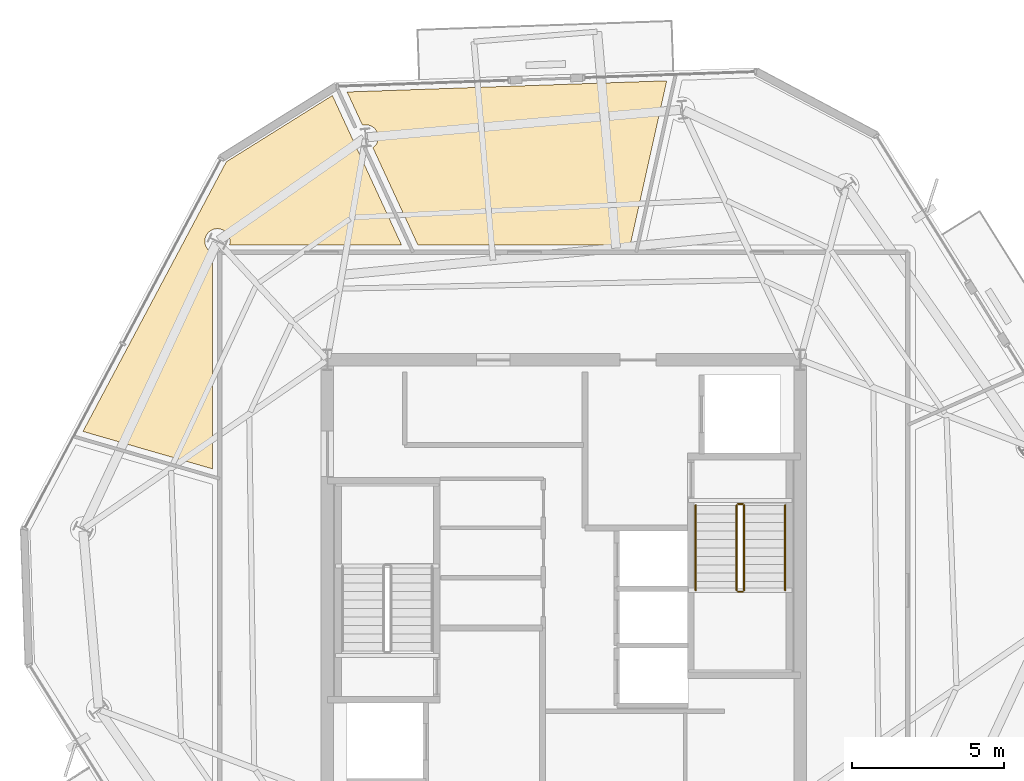
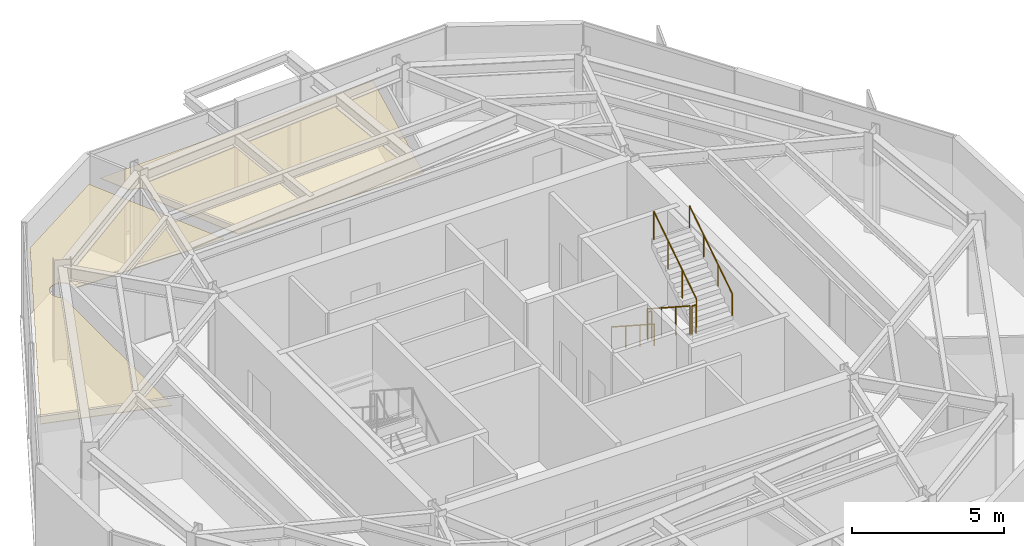
# One storey, part 10 of 11: 6 railings, 2 coverings.
"""IFC4 building model written with IfcOpenShell, lengths in metres."""

from ifc_helpers import new_model, si_unit, direction, frame, origin, origin_2d, place, context, subcontext, project, spatial, polyline, circle, outline, extrude, material, layer, layer_set, type_object, element, save


model = new_model("IFC4")

# Units and contexts
model_context = context("Model", 3, precision=1e-05, world=origin(), true_north=direction((0.0, 1.0)))
body_context = subcontext(model_context, "Body", "Model", "MODEL_VIEW")
ifc_project = project(units=[si_unit("LENGTHUNIT", "METRE"), si_unit("AREAUNIT", "SQUARE_METRE"), si_unit("VOLUMEUNIT", "CUBIC_METRE"), si_unit("PLANEANGLEUNIT", "RADIAN"), si_unit("MASSUNIT", "GRAM", prefix="KILO")], contexts=[model_context])

# Site, building, storey
site_placement = place(None, origin())
site = spatial("IfcSite", under=ifc_project, at=site_placement, CompositionType="ELEMENT")
building_placement = place(site_placement, origin())
building = spatial("IfcBuilding", under=site, at=building_placement, Name="Kranzbogen Civic Tower", CompositionType="ELEMENT")
storey_placement = place(building_placement, frame((0.0, 0.0, 274.199951171875)))
storey = spatial("IfcBuildingStorey", under=building, at=storey_placement, Name="L66", CompositionType="ELEMENT", Elevation=274.199951171875)

# Railings
ifc_material_1 = material(Name="Steel S355", Category="steel")
railing_type_1 = type_object("IfcRailingType", Name="Internal Stair and Void Steel Guardrail 1150", PredefinedType="GUARDRAIL", material=ifc_material_1)
railing_1_placement = place(storey_placement, frame((30.699951171875, 27.39990234375, 0.181884765625)))
element("IfcRailing", 1, at=railing_1_placement, inside=storey, type_object=railing_type_1, Name="L66 ST-T2 stair guard 1", PredefinedType="GUARDRAIL", context=body_context, shape_type="SweptSolid", body=[
    extrude(circle(Radius=0.02392578125, at=origin_2d()), frame((0.0, 0.0, 1.1259765625), z_axis=(0.0, -0.83868413941, 0.544618136222), x_axis=(1.0, 0.0, 0.0)), (0.0, 0.0, 1.0), 3.33837890625),
    extrude(circle(Radius=0.02099609375, at=origin_2d()), origin(), (0.0, 0.0, 1.0), 1.101806640625),
    extrude(circle(Radius=0.02099609375, at=origin_2d()), frame((0.0, -0.933349609375, 0.60595703125)), (0.0, 0.0, 1.0), 1.101806640625),
    extrude(circle(Radius=0.02099609375, at=origin_2d()), frame((0.0, -1.866455078125, 1.212158203125)), (0.0, 0.0, 1.0), 1.101806640625),
    extrude(circle(Radius=0.02099609375, at=origin_2d()), frame((0.0, -2.7998046875, 1.818115234375)), (0.0, 0.0, 1.0), 1.101806640625),
])
railing_2_placement = place(storey_placement, frame((30.75, 24.550048828125, 2.0)))
element("IfcRailing", 2, at=railing_2_placement, inside=storey, type_object=railing_type_1, Name="L66 ST-T2 stair guard 2", PredefinedType="GUARDRAIL", context=body_context, shape_type="SweptSolid", body=[
    extrude(circle(Radius=0.02392578125, at=origin_2d()), frame((0.0, 0.0, 1.1259765625), z_axis=(1.0, 0.0, 0.0), x_axis=(0.0, 1.0, 0.0)), (0.0, 0.0, 1.0), 0.14990234375),
    extrude(circle(Radius=0.02099609375, at=origin_2d()), origin(), (0.0, 0.0, 1.0), 1.101806640625),
    extrude(circle(Radius=0.02099609375, at=origin_2d()), frame((0.14990234375, 0.0, 0.0)), (0.0, 0.0, 1.0), 1.101806640625),
])
railing_3_placement = place(storey_placement, frame((30.949951171875, 24.60009765625, 2.181884765625)))
element("IfcRailing", 3, at=railing_3_placement, inside=storey, type_object=railing_type_1, Name="L66 ST-T2 stair guard 3", PredefinedType="GUARDRAIL", context=body_context, shape_type="SweptSolid", body=[
    extrude(circle(Radius=0.02392578125, at=origin_2d()), frame((0.0, 0.0, 1.1259765625), z_axis=(0.0, 0.83868413941, 0.544618136222), x_axis=(-1.0, 0.0, 0.0)), (0.0, 0.0, 1.0), 3.33837890625),
    extrude(circle(Radius=0.02099609375, at=origin_2d()), origin(), (0.0, 0.0, 1.0), 1.101806640625),
    extrude(circle(Radius=0.02099609375, at=origin_2d()), frame((0.0, 0.933349609375, 0.60595703125)), (0.0, 0.0, 1.0), 1.101806640625),
    extrude(circle(Radius=0.02099609375, at=origin_2d()), frame((0.0, 1.866455078125, 1.212158203125)), (0.0, 0.0, 1.0), 1.101806640625),
    extrude(circle(Radius=0.02099609375, at=origin_2d()), frame((0.0, 2.7998046875, 1.818115234375)), (0.0, 0.0, 1.0), 1.101806640625),
])
railing_4_placement = place(storey_placement, frame((30.75, 27.449951171875, 0.0)))
element("IfcRailing", 4, at=railing_4_placement, inside=storey, type_object=railing_type_1, Name="L66 ST-T2 stair guard 4", PredefinedType="GUARDRAIL", context=body_context, shape_type="SweptSolid", body=[
    extrude(circle(Radius=0.02392578125, at=origin_2d()), frame((0.0, 0.0, 1.1259765625), z_axis=(1.0, 0.0, 0.0), x_axis=(0.0, 1.0, 0.0)), (0.0, 0.0, 1.0), 0.14990234375),
    extrude(circle(Radius=0.02099609375, at=origin_2d()), origin(), (0.0, 0.0, 1.0), 1.101806640625),
    extrude(circle(Radius=0.02099609375, at=origin_2d()), frame((0.14990234375, 0.0, 0.0)), (0.0, 0.0, 1.0), 1.101806640625),
])

# Coverings
ifc_material_2 = material(Name="Perforated Acoustic Gypsum Ceiling")
ifc_layer = layer(ifc_material_2, 0.02490234375, Name="Perforated Acoustic Gypsum Ceiling")
ifc_layer_set = layer_set([ifc_layer], Name="Perforated Acoustic Gypsum Ceiling")
covering_type = type_object("IfcCoveringType", Name="Perforated Acoustic Mineral Ceiling Tile 25 mm", PredefinedType="CEILING", material=ifc_layer_set)
covering_1_placement = place(storey_placement, frame((0.0, 0.0, 2.75)))
element("IfcCovering", 5, at=covering_1_placement, inside=storey, type_object=covering_type, Name="L66 Hospitality Catering Kitchen acoustic ceiling", PredefinedType="CEILING", context=body_context, shape_type="SweptSolid", body=[
    extrude(outline(polyline([(18.7041015625, 39.195068359375), (18.73095703125, 39.215087890625), (18.760986328125, 39.241943359375), (18.7880859375, 39.27197265625), (18.81201171875, 39.304931640625), (18.8330078125, 39.340087890625), (18.85107421875, 39.376953125), (18.864990234375, 39.4150390625), (18.8740234375, 39.455078125), (18.8798828125, 39.4951171875), (18.882080078125, 39.535888671875), (18.8798828125, 39.576904296875), (18.8740234375, 39.616943359375), (18.864990234375, 39.656982421875), (18.85107421875, 39.695068359375), (18.8330078125, 39.73193359375), (18.81201171875, 39.76708984375), (18.7880859375, 39.800048828125), (18.760986328125, 39.830078125), (18.73095703125, 39.85693359375), (18.697998046875, 39.881103515625), (18.6630859375, 39.902099609375), (18.6259765625, 39.919921875), (18.587890625, 39.93408203125), (18.548095703125, 39.943115234375), (18.508056640625, 39.948974609375), (18.467041015625, 39.950927734375), (18.426025390625, 39.948974609375), (18.385986328125, 39.943115234375), (18.361083984375, 39.93701171875), (17.85302734375, 41.034912109375), (28.39501953125, 41.404052734375), (27.193115234375, 35.9951171875), (20.18408203125, 35.9951171875), (18.7041015625, 39.195068359375)])), origin(), (0.0, 0.0, 1.0), 0.025146484375),
])
covering_2_placement = place(storey_placement, frame((0.0, 0.0, 2.75)))
element("IfcCovering", 6, at=covering_2_placement, inside=storey, type_object=covering_type, Name="L66 Ministerial Policy Office acoustic ceiling", PredefinedType="CEILING", context=body_context, shape_type="SweptSolid", body=[
    extrude(outline(polyline([(17.366943359375, 40.91796875), (19.64404296875, 35.9951171875), (13.97412109375, 35.9951171875), (13.98193359375, 36.029052734375), (13.988037109375, 36.069091796875), (13.989990234375, 36.110107421875), (13.988037109375, 36.15087890625), (13.98193359375, 36.19091796875), (13.972900390625, 36.23095703125), (13.958984375, 36.26904296875), (13.94091796875, 36.305908203125), (13.919921875, 36.341064453125), (13.89599609375, 36.3740234375), (13.868896484375, 36.404052734375), (13.839111328125, 36.430908203125), (13.805908203125, 36.455078125), (13.77099609375, 36.47607421875), (13.73388671875, 36.493896484375), (13.696044921875, 36.508056640625), (13.656005859375, 36.51708984375), (13.615966796875, 36.52294921875), (13.574951171875, 36.52490234375), (13.533935546875, 36.52294921875), (13.493896484375, 36.51708984375), (13.4541015625, 36.508056640625), (13.416015625, 36.493896484375), (13.37890625, 36.47607421875), (13.343994140625, 36.455078125), (13.31103515625, 36.430908203125), (13.281005859375, 36.404052734375), (13.25390625, 36.3740234375), (13.22998046875, 36.341064453125), (13.208984375, 36.305908203125), (13.19091796875, 36.26904296875), (13.177001953125, 36.23095703125), (13.16796875, 36.19091796875), (13.162109375, 36.15087890625), (13.159912109375, 36.110107421875), (13.162109375, 36.069091796875), (13.16796875, 36.029052734375), (13.177001953125, 35.989013671875), (13.19091796875, 35.950927734375), (13.208984375, 35.9140625), (13.22998046875, 35.87890625), (13.25390625, 35.845947265625), (13.281005859375, 35.81591796875), (13.31103515625, 35.7890625), (13.343994140625, 35.764892578125), (13.37890625, 35.743896484375), (13.405029296875, 35.73095703125), (13.405029296875, 28.60498046875), (9.139892578125, 29.837890625), (13.868896484375, 38.73193359375), (17.366943359375, 40.91796875)])), origin(), (0.0, 0.0, 1.0), 0.025146484375),
])

# Railings
ifc_material_3 = material(Name="Pale Anodised Aluminium", Category="aluminium")
railing_type_2 = type_object("IfcRailingType", Name="Tubular Stainless Stair Wall Handrail 900", PredefinedType="HANDRAIL", material=ifc_material_3)
railing_5_placement = place(storey_placement, frame((29.35009765625, 27.39990234375, 0.181884765625)))
element("IfcRailing", 7, at=railing_5_placement, inside=storey, type_object=railing_type_2, Name="L66 ST-T2 stair handrail 1", PredefinedType="HANDRAIL", context=body_context, shape_type="SweptSolid", body=[
    extrude(circle(Radius=0.02392578125, at=origin_2d()), frame((0.0, 0.0, 0.8759765625), z_axis=(0.0, -0.83868413941, 0.544618136222), x_axis=(1.0, 0.0, 0.0)), (0.0, 0.0, 1.0), 3.33837890625),
    extrude(circle(Radius=0.02099609375, at=origin_2d()), origin(), (0.0, 0.0, 1.0), 0.851806640625),
    extrude(circle(Radius=0.02099609375, at=origin_2d()), frame((0.0, -0.933349609375, 0.60595703125)), (0.0, 0.0, 1.0), 0.851806640625),
    extrude(circle(Radius=0.02099609375, at=origin_2d()), frame((0.0, -1.866455078125, 1.212158203125)), (0.0, 0.0, 1.0), 0.851806640625),
    extrude(circle(Radius=0.02099609375, at=origin_2d()), frame((0.0, -2.7998046875, 1.818115234375)), (0.0, 0.0, 1.0), 0.851806640625),
])
railing_6_placement = place(storey_placement, frame((32.300048828125, 24.60009765625, 2.181884765625)))
element("IfcRailing", 8, at=railing_6_placement, inside=storey, type_object=railing_type_2, Name="L66 ST-T2 stair handrail 2", PredefinedType="HANDRAIL", context=body_context, shape_type="SweptSolid", body=[
    extrude(circle(Radius=0.02392578125, at=origin_2d()), frame((0.0, 0.0, 0.8759765625), z_axis=(0.0, 0.83868413941, 0.544618136222), x_axis=(-1.0, 0.0, 0.0)), (0.0, 0.0, 1.0), 3.33837890625),
    extrude(circle(Radius=0.02099609375, at=origin_2d()), origin(), (0.0, 0.0, 1.0), 0.851806640625),
    extrude(circle(Radius=0.02099609375, at=origin_2d()), frame((0.0, 0.933349609375, 0.60595703125)), (0.0, 0.0, 1.0), 0.851806640625),
    extrude(circle(Radius=0.02099609375, at=origin_2d()), frame((0.0, 1.866455078125, 1.212158203125)), (0.0, 0.0, 1.0), 0.851806640625),
    extrude(circle(Radius=0.02099609375, at=origin_2d()), frame((0.0, 2.7998046875, 1.818115234375)), (0.0, 0.0, 1.0), 0.851806640625),
])

save(model, "model.ifc")
